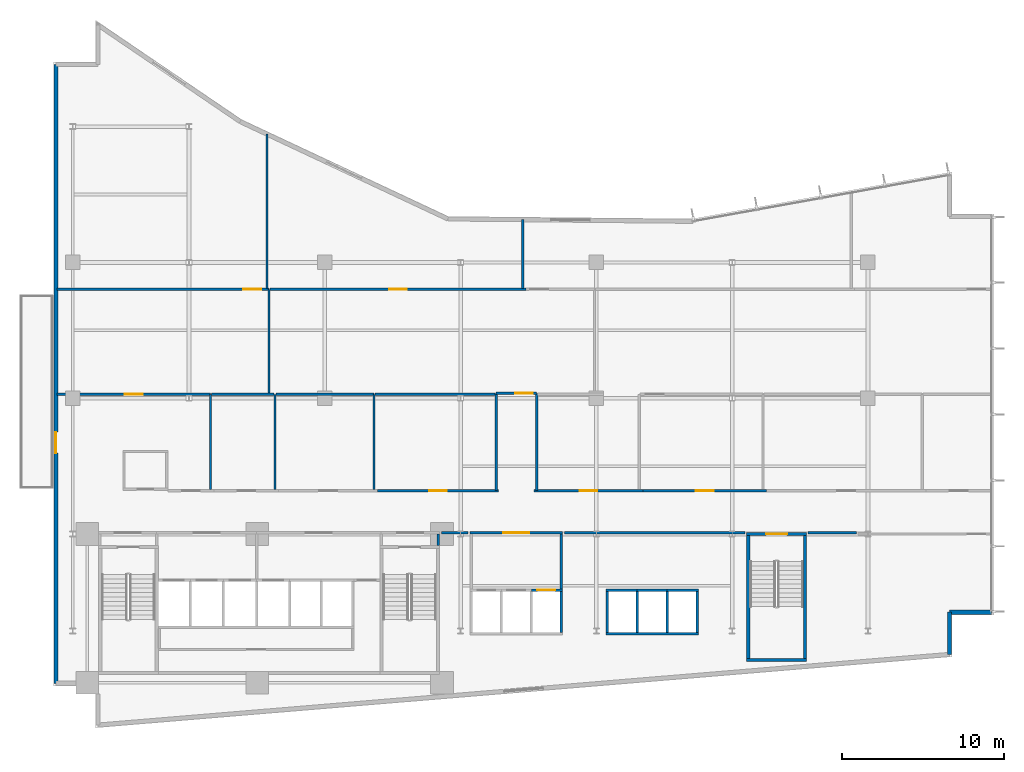
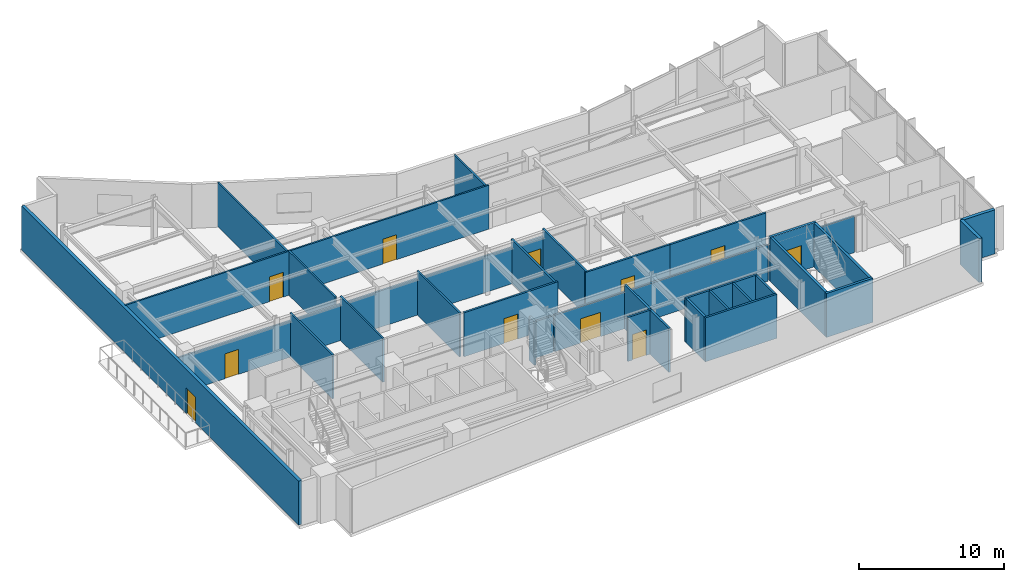
# One storey, part 14 of 20: 41 walls, 11 doors, 11 openings.
"""IFC4 building model written with IfcOpenShell, lengths in metres."""

import ifcopenshell
import ifcopenshell.guid

model = None  # the IFC model being written
_history = None  # IfcOwnerHistory: only IFC2X3 demands one
_inside = {}  # id of a spatial element -> (the spatial element, [elements in it])
_under = {}  # id of a project, library or spatial element -> (it, [spatial elements below it])
_declared = {}  # id of a project -> (the project, [libraries it declares])
_typed = {}  # id of a type object -> (the type object, [elements of that type])
_made_of = {}  # id of a material, layer set ... -> (it, [elements and type objects made of it])


def new_model(schema):
    """Start an empty IFC model of exactly this schema.

    Asked for "IFC4X3", IfcOpenShell would pick the latest addendum, in which some entities
    have other attributes; the version numbers below select the first issue.
    IFC2X3 requires an IfcOwnerHistory on every rooted entity: one is made here for all.
    """
    global model, _history
    if schema == "IFC4X3":
        model = ifcopenshell.file(schema_version=(4, 3, 0, 0))
    else:
        model = ifcopenshell.file(schema=schema)
    _inside.clear()
    _under.clear()
    _declared.clear()
    _typed.clear()
    _made_of.clear()
    _history = None
    if model.schema == "IFC2X3":
        org = make("IfcOrganization", Name="unknown")
        user = make(
            "IfcPersonAndOrganization",
            ThePerson=make("IfcPerson", FamilyName="unknown"),
            TheOrganization=org,
        )
        app = make(
            "IfcApplication",
            ApplicationDeveloper=org,
            Version="unknown",
            ApplicationFullName="unknown",
            ApplicationIdentifier="unknown",
        )
        _history = make(
            "IfcOwnerHistory",
            OwningUser=user,
            OwningApplication=app,
            ChangeAction="ADDED",
            CreationDate=0,
        )
    return model


def make(cls, **values):
    """One entity of the class cls with the attributes given. An attribute that is None is left unset."""
    return model.create_entity(
        cls, **{name: value for name, value in values.items() if value is not None}
    )


def rooted(cls, **values):
    """An entity with a GlobalId (a new one), such as an element, a storey or a relation."""
    return make(cls, GlobalId=ifcopenshell.guid.new(), OwnerHistory=_history, **values)


def si_unit(unit_type, name, prefix=None):
    """IfcSIUnit, for example si_unit("LENGTHUNIT", "METRE", prefix="MILLI")."""
    return make("IfcSIUnit", UnitType=unit_type, Prefix=prefix, Name=name)


def assignment(units):
    """IfcUnitAssignment: the units of a project."""
    return None if units is None else make("IfcUnitAssignment", Units=units)


def point(xyz):
    """IfcCartesianPoint."""
    return None if xyz is None else make("IfcCartesianPoint", Coordinates=xyz)


def direction(xyz):
    """IfcDirection."""
    return None if xyz is None else make("IfcDirection", DirectionRatios=xyz)


def frame(location, z_axis=None, x_axis=None):
    """IfcAxis2Placement3D, a coordinate frame: its origin and axes. An axis left out is left unset."""
    return make(
        "IfcAxis2Placement3D",
        Location=point(location),
        Axis=direction(z_axis),
        RefDirection=direction(x_axis),
    )


def frame_2d(location, x_axis=None):
    """IfcAxis2Placement2D, a coordinate frame in the plane: its origin and x axis."""
    return make(
        "IfcAxis2Placement2D", Location=point(location), RefDirection=direction(x_axis)
    )


def origin():
    """The frame at (0, 0, 0) with its axes left unset."""
    return frame((0.0, 0.0, 0.0))


def place(relative_to, where):
    """IfcLocalPlacement: puts the frame where relative to a parent placement (None: the world)."""
    return make(
        "IfcLocalPlacement", PlacementRelTo=relative_to, RelativePlacement=where
    )


def context(
    kind, dimensions, precision=None, world=None, true_north=None, identifier=None
):
    """IfcGeometricRepresentationContext, for example the 3D "Model" context."""
    return make(
        "IfcGeometricRepresentationContext",
        ContextIdentifier=identifier,
        ContextType=kind,
        CoordinateSpaceDimension=dimensions,
        Precision=precision,
        WorldCoordinateSystem=world,
        TrueNorth=true_north,
    )


def subcontext(parent, identifier, kind, view, scale=None):
    """IfcGeometricRepresentationSubContext, for example "Body" below "Model"."""
    return make(
        "IfcGeometricRepresentationSubContext",
        ContextIdentifier=identifier,
        ContextType=kind,
        ParentContext=parent,
        TargetScale=scale,
        TargetView=view,
    )


def project(units=None, contexts=None):
    """IfcProject with its units and contexts."""
    return rooted(
        "IfcProject",
        Name="project",
        RepresentationContexts=contexts,
        UnitsInContext=assignment(units),
    )


def spatial(cls, under=None, at=None, **own):
    """A site, building, storey or space (cls), placed at a placement, below another one or the project."""
    s = rooted(cls, ObjectPlacement=at, **own)
    if under is not None:
        _under.setdefault(under.id(), (under, []))[1].append(s)
    return s


def profile(cls, at=None, kind="AREA", **sizes):
    """A parametric profile (cls). Its sizes go by their IFC names, for example OverallWidth=200.0."""
    return make(cls, ProfileType=kind, Position=at, **sizes)


def rectangle(**sizes):
    """IfcRectangleProfileDef."""
    return profile("IfcRectangleProfileDef", **sizes)


def extrude(swept, where, along, depth):
    """IfcExtrudedAreaSolid: the profile swept, set in the frame where, extruded along a direction by depth."""
    return make(
        "IfcExtrudedAreaSolid",
        SweptArea=swept,
        Position=where,
        ExtrudedDirection=direction(along),
        Depth=depth,
    )


def shape(context_of_items, identifier, shape_type, items):
    """IfcShapeRepresentation: the items that make up one representation, for example the "Body"."""
    return make(
        "IfcShapeRepresentation",
        ContextOfItems=context_of_items,
        RepresentationIdentifier=identifier,
        RepresentationType=shape_type,
        Items=items,
    )


def material(Name=None, Category=None):
    """IfcMaterial."""
    return make("IfcMaterial", Name=Name, Category=Category)


def layer(
    of_material, thickness, ventilated=None, Name=None, Category=None, Priority=None
):
    """IfcMaterialLayer: one layer of a wall or slab, of a material (None: an air gap)."""
    return make(
        "IfcMaterialLayer",
        Material=of_material,
        LayerThickness=thickness,
        IsVentilated=ventilated,
        Name=Name,
        Category=Category,
        Priority=Priority,
    )


def layer_set(layers, Name=None):
    """IfcMaterialLayerSet."""
    return make("IfcMaterialLayerSet", MaterialLayers=layers, LayerSetName=Name)


def made_of(thing, what):
    """Note that an element or type object is made of a material, layer set ...; save() writes the relation."""
    if what is not None:
        _made_of.setdefault(what.id(), (what, []))[1].append(thing)
    return thing


def type_object(cls, material=None, **own):
    """A type object (cls), such as IfcWallType, which elements share."""
    return made_of(rooted(cls, **own), material)


def element(
    cls,
    number,
    at=None,
    inside=None,
    cuts=None,
    type_object=None,
    material=None,
    context=None,
    identifier="Body",
    shape_type=None,
    held_by="IfcProductDefinitionShape",
    body=None,
    shapes=None,
    **own,
):
    """One element of the class cls, such as IfcWall. Its Tag is "e" and its number.

    at: its placement. inside: the storey or other place that contains it. cuts: it is an
    opening in that element (IfcRelVoidsElement). A single representation is given by context,
    identifier, shape_type and body (its items); several are given by shapes. held_by: the class
    of the entity that holds the representations. save() writes the other relations.
    """
    e = rooted(cls, Tag="e%d" % number, ObjectPlacement=at, **own)
    if body is not None:
        shapes = [shape(context, identifier, shape_type, body)]
    if shapes is not None:
        e.Representation = make(held_by, Representations=shapes)
    if inside is not None:
        _inside.setdefault(inside.id(), (inside, []))[1].append(e)
    if cuts is not None:
        rooted(
            "IfcRelVoidsElement", RelatingBuildingElement=cuts, RelatedOpeningElement=e
        )
    if type_object is not None:
        _typed.setdefault(type_object.id(), (type_object, []))[1].append(e)
    return made_of(e, material)


def fill(opening, filler):
    """IfcRelFillsElement: the door or window that sits in an opening."""
    return rooted(
        "IfcRelFillsElement",
        RelatingOpeningElement=opening,
        RelatedBuildingElement=filler,
    )


def aggregate(whole, parts):
    """IfcRelAggregates: a whole, such as a stair, and the parts it consists of."""
    return rooted("IfcRelAggregates", RelatingObject=whole, RelatedObjects=parts)


def save(model, path):
    """Write the relations noted so far, then the file.

    IfcRelAggregates (storeys below a building ...), IfcRelContainedInSpatialStructure (elements
    in a storey), IfcRelDefinesByType, IfcRelAssociatesMaterial and IfcRelDeclares: one each for
    every whole, place, type object, material and project.
    """
    for whole, parts in _under.values():
        aggregate(whole, parts)
    for where, things in _inside.values():
        rooted(
            "IfcRelContainedInSpatialStructure",
            RelatedElements=things,
            RelatingStructure=where,
        )
    for kind, things in _typed.values():
        rooted("IfcRelDefinesByType", RelatedObjects=things, RelatingType=kind)
    for what, things in _made_of.values():
        rooted("IfcRelAssociatesMaterial", RelatedObjects=things, RelatingMaterial=what)
    for by, libraries in _declared.values():
        rooted("IfcRelDeclares", RelatingContext=by, RelatedDefinitions=libraries)
    model.write(path)


model = new_model("IFC4")

# Units and contexts
model_context = context("Model", 3, precision=1e-05, world=origin(), true_north=direction((0.0, 1.0)))
body_context = subcontext(model_context, "Body", "Model", "MODEL_VIEW")
ifc_project = project(units=[si_unit("LENGTHUNIT", "METRE"), si_unit("AREAUNIT", "SQUARE_METRE"), si_unit("VOLUMEUNIT", "CUBIC_METRE"), si_unit("PLANEANGLEUNIT", "RADIAN"), si_unit("MASSUNIT", "GRAM", prefix="KILO")], contexts=[model_context])

# Site, building, storey
site_placement = place(None, origin())
site = spatial("IfcSite", under=ifc_project, at=site_placement, CompositionType="ELEMENT")
building_placement = place(site_placement, origin())
building = spatial("IfcBuilding", under=site, at=building_placement, Name="Varnakote Quay Hospital", CompositionType="ELEMENT")
storey_placement = place(building_placement, frame((0.0, 0.0, 46.199951171875)))
storey = spatial("IfcBuildingStorey", under=building, at=storey_placement, Name="L11", CompositionType="ELEMENT", Elevation=46.199951171875)

# Walls
ifc_material_1 = material(Name="Fire-rated acoustic gypsum stud wall", Category="gypsum")
ifc_layer_1 = layer(ifc_material_1, 0.159912109375)
ifc_layer_set_1 = layer_set([ifc_layer_1], Name="Fire-rated acoustic gypsum stud wall")
wall_type_1 = type_object("IfcWallType", Name="WL-COMP-160", PredefinedType="PARTITIONING", material=ifc_layer_set_1)
wall_1_placement = place(storey_placement, frame((23.820068359375, 11.300048828125, 0.0), z_axis=(0.0, 0.0, 1.0), x_axis=(0.0, 1.0, 0.0)))
element("IfcWall", 1, at=wall_1_placement, inside=storey, type_object=wall_type_1, Name="L11 East Stair Vestibule East Wall", PredefinedType="PARTITIONING", context=body_context, shape_type="SweptSolid", body=[
    extrude(rectangle(XDim=0.699951171875, YDim=0.159912109375, at=frame_2d((0.35009765625, 0.0))), origin(), (0.0, 0.0, 1.0), 3.7099609375),
])
wall_2_placement = place(storey_placement, frame((31.429931640625, 8.610107421875, 0.0), z_axis=(0.0, 0.0, 1.0), x_axis=(0.0, 1.0, 0.0)))
element("IfcWall", 2, at=wall_2_placement, inside=storey, type_object=wall_type_1, Name="L11 Low-Rise Lift Lobby East Wall", PredefinedType="PARTITIONING", context=body_context, shape_type="SweptSolid", body=[
    extrude(rectangle(XDim=3.389892578125, YDim=0.159912109375, at=frame_2d((1.69482421875, 0.0))), origin(), (0.0, 0.0, 1.0), 3.7099609375),
])

# Wall, opening, door
wall_3_placement = place(storey_placement, frame((25.7900390625, 12.080078125, 0.0), z_axis=(0.0, 0.0, 1.0), x_axis=(1.0, 0.0, 0.0)))
wall_3 = element("IfcWall", 3, at=wall_3_placement, inside=storey, type_object=wall_type_1, Name="L11 Low-Rise Lift Lobby North Wall", PredefinedType="PARTITIONING", context=body_context, shape_type="SweptSolid", body=[
    extrude(rectangle(XDim=5.719970703125, YDim=0.159912109375, at=frame_2d((2.85986328125, 0.0))), origin(), (0.0, 0.0, 1.0), 3.072998046875),
])
opening_1_placement = place(wall_3_placement, frame((2.06005859375, 0.0, 0.0)))
opening_1 = element("IfcOpeningElement", 4, at=opening_1_placement, cuts=wall_3, Name="Opening D-PLL-L11", PredefinedType="OPENING", context=body_context, shape_type="SweptSolid", body=[
    extrude(rectangle(XDim=1.60009765625, YDim=2.050048828125, at=frame_2d((0.800048828125, 1.02490234375))), frame((0.0, 0.08984375, 0.0), z_axis=(0.0, -1.0, 0.0), x_axis=(1.0, 0.0, 0.0)), (0.0, 0.0, 1.0), 0.179931640625),
])
ifc_material_2 = material(Name="Fire-rated double smoke lobby door")
door_type_1 = type_object("IfcDoorType", Name="DR-LOBBY-FD60S-1600x2150", OperationType="NOTDEFINED", PredefinedType="DOOR", material=ifc_material_2)
door_1_placement = place(opening_1_placement, origin())
door_1 = element("IfcDoor", 5, at=door_1_placement, inside=storey, type_object=door_type_1, Name="L11 Low-Rise Passenger Concourse Vestibule Door", OperationType="DOUBLE_DOOR_SINGLE_SWING", OverallHeight=2.050048828125, OverallWidth=1.60009765625, PredefinedType="DOOR", context=body_context, shape_type="SweptSolid", body=[
    extrude(rectangle(XDim=1.60009765625, YDim=2.050048828125, at=frame_2d((0.800048828125, 1.02490234375))), frame((0.0, 0.02490234375, 0.0), z_axis=(0.0, -1.0, 0.0), x_axis=(1.0, 0.0, 0.0)), (0.0, 0.0, 1.0), 0.050048828125),
])
fill(opening_1, door_1)

# Walls
wall_4_placement = place(storey_placement, frame((24.02001953125, 12.080078125, 0.0), z_axis=(0.0, 0.0, 1.0), x_axis=(1.0, 0.0, 0.0)))
element("IfcWall", 6, at=wall_4_placement, inside=storey, type_object=wall_type_1, Name="L11 Corridor South Gap Wall", PredefinedType="PARTITIONING", context=body_context, shape_type="SweptSolid", body=[
    extrude(rectangle(XDim=1.64990234375, YDim=0.159912109375, at=frame_2d((0.824951171875, 0.0))), origin(), (0.0, 0.0, 1.0), 3.072998046875),
])
wall_5_placement = place(storey_placement, frame((31.6298828125, 12.080078125, 0.0), z_axis=(0.0, 0.0, 1.0), x_axis=(1.0, 0.0, 0.0)))
element("IfcWall", 7, at=wall_5_placement, inside=storey, type_object=wall_type_1, Name="L11 Corridor South Gap Wall", PredefinedType="PARTITIONING", context=body_context, shape_type="SweptSolid", body=[
    extrude(rectangle(XDim=11.180908203125, YDim=0.159912109375, at=frame_2d((5.59033203125, 0.0))), origin(), (0.0, 0.0, 1.0), 3.072998046875),
])
wall_6_placement = place(storey_placement, frame((46.689208984375, 12.080078125, 0.0), z_axis=(0.0, 0.0, 1.0), x_axis=(1.0, 0.0, 0.0)))
element("IfcWall", 8, at=wall_6_placement, inside=storey, type_object=wall_type_1, Name="L11 Corridor South Gap Wall", PredefinedType="PARTITIONING", context=body_context, shape_type="SweptSolid", body=[
    extrude(rectangle(XDim=3.0107421875, YDim=0.159912109375, at=frame_2d((1.50537109375, 0.0))), origin(), (0.0, 0.0, 1.0), 3.072998046875),
])
ifc_material_3 = material(Name="Precast concrete N50 (f'c 50 MPa)", Category="concrete")
ifc_layer_2 = layer(ifc_material_3, 0.260009765625)
ifc_layer_set_2 = layer_set([ifc_layer_2], Name="Precast concrete N50 (f'c 50 MPa)")
wall_type_2 = type_object("IfcWallType", Name="WL-EXT-BRICK-260", PredefinedType="STANDARD", material=ifc_layer_set_2)
wall_7_placement = place(storey_placement, frame((55.43994140625, 4.54736328125, 0.0), z_axis=(0.0, 0.0, 1.0), x_axis=(0.0, 1.0, 0.0)))
element("IfcWall", 9, at=wall_7_placement, inside=storey, type_object=wall_type_2, Name="L11 Brick-Faced Precast Exterior Wall", PredefinedType="STANDARD", context=body_context, shape_type="SweptSolid", body=[
    extrude(rectangle(XDim=2.612548828125, YDim=0.260009765625, at=frame_2d((1.30615234375, 0.0))), origin(), (0.0, 0.0, 1.0), 3.7099609375),
])
wall_8_placement = place(storey_placement, frame((55.43994140625, 7.159912109375, 0.0), z_axis=(0.0, 0.0, 1.0), x_axis=(1.0, 0.0, 0.0)))
element("IfcWall", 10, at=wall_8_placement, inside=storey, type_object=wall_type_2, Name="L11 Brick-Faced Precast Exterior Wall", PredefinedType="STANDARD", context=body_context, shape_type="SweptSolid", body=[
    extrude(rectangle(XDim=2.60009765625, YDim=0.260009765625, at=frame_2d((1.300048828125, 0.0))), origin(), (0.0, 0.0, 1.0), 3.7099609375),
])

# Wall, opening, door
wall_9_placement = place(storey_placement, frame((0.159912109375, 41.0400390625, 0.0), z_axis=(0.0, 0.0, 1.0), x_axis=(0.0, -1.0, 0.0)))
wall_9 = element("IfcWall", 11, at=wall_9_placement, inside=storey, type_object=wall_type_2, Name="L11 Healing Terrace Portal Brick Wall", PredefinedType="STANDARD", context=body_context, shape_type="SweptSolid", body=[
    extrude(rectangle(XDim=38.280029296875, YDim=0.260009765625, at=frame_2d((19.14013671875, 0.0))), origin(), (0.0, 0.0, 1.0), 3.7099609375),
])
opening_2_placement = place(wall_9_placement, frame((22.743408203125, 0.0, 0.0)))
opening_2 = element("IfcOpeningElement", 12, at=opening_2_placement, cuts=wall_9, Name="Opening DT-L11", PredefinedType="OPENING", context=body_context, shape_type="SweptSolid", body=[
    extrude(rectangle(XDim=1.300048828125, YDim=2.14990234375, at=frame_2d((0.64990234375, 1.074951171875))), frame((0.0, 0.139892578125, 0.0), z_axis=(0.0, -1.0, 0.0), x_axis=(1.0, 0.0, 0.0)), (0.0, 0.0, 1.0), 0.280029296875),
])
ifc_material_4 = material(Name="Anodised aluminium glazed terrace door", Category="aluminium")
door_type_2 = type_object("IfcDoorType", Name="DR-EXT-TERR-1300x2150", OperationType="NOTDEFINED", PredefinedType="DOOR", material=ifc_material_4)
door_2_placement = place(opening_2_placement, origin())
door_2 = element("IfcDoor", 13, at=door_2_placement, inside=storey, type_object=door_type_2, Name="L11 Waterfront Healing Terrace Door", OperationType="SINGLE_SWING_RIGHT", OverallHeight=2.14990234375, OverallWidth=1.300048828125, PredefinedType="DOOR", context=body_context, shape_type="SweptSolid", body=[
    extrude(rectangle(XDim=1.300048828125, YDim=2.14990234375, at=frame_2d((0.64990234375, 1.074951171875))), frame((0.0, 0.02490234375, 0.0), z_axis=(0.0, -1.0, 0.0), x_axis=(1.0, 0.0, 0.0)), (0.0, 0.0, 1.0), 0.050048828125),
])
fill(opening_2, door_2)

# Walls
ifc_material_5 = material(Name="Concrete N50 (f'c 50 MPa)", Category="concrete")
ifc_layer_3 = layer(ifc_material_5, 0.14990234375)
ifc_layer_set_3 = layer_set([ifc_layer_3], Name="Concrete N50 (f'c 50 MPa)")
wall_type_3 = type_object("IfcWallType", Name="WL-SHAFT-N50-150", PredefinedType="SHEAR", material=ifc_layer_set_3)
for number, where, z_axis, x_axis, name in (
    (14, (36.125, 5.89990234375, 0.0), (0.0, 0.0, 1.0), (0.0, 1.0, 0.0), "L11 LF-PM1 Hoistway Divider Wall"),
    (15, (37.97509765625, 5.89990234375, 0.0), (0.0, 0.0, 1.0), (0.0, 1.0, 0.0), "L11 LF-PM2 Hoistway Divider Wall"),
):
    element("IfcWall", number, at=place(storey_placement, frame(where, z_axis=z_axis, x_axis=x_axis)), inside=storey, type_object=wall_type_3, Name=name, PredefinedType="SHEAR", context=body_context, shape_type="SweptSolid", body=[
        extrude(rectangle(XDim=2.550048828125, YDim=0.14990234375, at=frame_2d((1.27490234375, 0.0))), origin(), (0.0, 0.0, 1.0), 3.7099609375),
    ])
ifc_material_6 = material(Name="Concrete N50 (f'c 50 MPa)", Category="concrete")
ifc_layer_4 = layer(ifc_material_6, 0.159912109375)
ifc_layer_set_4 = layer_set([ifc_layer_4], Name="Concrete N50 (f'c 50 MPa)")
wall_type_4 = type_object("IfcWallType", Name="WL-SHAFT-N50-160", PredefinedType="SHEAR", material=ifc_layer_set_4)
wall_10_placement = place(storey_placement, frame((31.429931640625, 5.89990234375, 0.0), z_axis=(0.0, 0.0, 1.0), x_axis=(0.0, 1.0, 0.0)))
element("IfcWall", 16, at=wall_10_placement, inside=storey, type_object=wall_type_4, Name="L11 LOW Lift Bank East Shear Wall", PredefinedType="SHEAR", context=body_context, shape_type="SweptSolid", body=[
    extrude(rectangle(XDim=2.550048828125, YDim=0.159912109375, at=frame_2d((1.27490234375, 0.0))), origin(), (0.0, 0.0, 1.0), 3.7099609375),
])

# Wall, opening, door
wall_11_placement = place(storey_placement, frame((29.574951171875, 8.530029296875, 0.0), z_axis=(0.0, 0.0, 1.0), x_axis=(1.0, 0.0, 0.0)))
wall_11 = element("IfcWall", 17, at=wall_11_placement, inside=storey, type_object=wall_type_4, Name="L11 LF-PL3 Hoistway Front Wall", PredefinedType="SHEAR", context=body_context, shape_type="SweptSolid", body=[
    extrude(rectangle(XDim=1.93505859375, YDim=0.159912109375, at=frame_2d((0.967529296875, 0.0))), origin(), (0.0, 0.0, 1.0), 3.7099609375),
])
opening_3_placement = place(wall_11_placement, frame((0.375, 0.0, 0.0)))
opening_3 = element("IfcOpeningElement", 18, at=opening_3_placement, cuts=wall_11, Name="Opening LD-PL3-L11", PredefinedType="OPENING", context=body_context, shape_type="SweptSolid", body=[
    extrude(rectangle(XDim=1.10009765625, YDim=2.14990234375, at=frame_2d((0.550048828125, 1.074951171875))), frame((0.0, 0.08984375, 0.0), z_axis=(0.0, -1.0, 0.0), x_axis=(1.0, 0.0, 0.0)), (0.0, 0.0, 1.0), 0.179931640625),
])
ifc_material_7 = material(Name="Brushed bronze lift landing sliding door")
door_type_3 = type_object("IfcDoorType", Name="DR-LIFT-LD-1100x2150", OperationType="NOTDEFINED", PredefinedType="DOOR", material=ifc_material_7)
door_3_placement = place(opening_3_placement, origin())
door_3 = element("IfcDoor", 19, at=door_3_placement, inside=storey, type_object=door_type_3, Name="L11 LF-PL3 Lift Landing Sliding Door", OperationType="SLIDING_TO_LEFT", OverallHeight=2.14990234375, OverallWidth=1.10009765625, PredefinedType="DOOR", context=body_context, shape_type="SweptSolid", body=[
    extrude(rectangle(XDim=1.10009765625, YDim=2.14990234375, at=frame_2d((0.550048828125, 1.074951171875))), frame((0.0, 0.02490234375, 0.0), z_axis=(0.0, -1.0, 0.0), x_axis=(1.0, 0.0, 0.0)), (0.0, 0.0, 1.0), 0.050048828125),
])
fill(opening_3, door_3)

# Walls
wall_12_placement = place(storey_placement, frame((34.18994140625, 5.820068359375, 0.0), z_axis=(0.0, 0.0, 1.0), x_axis=(1.0, 0.0, 0.0)))
element("IfcWall", 20, at=wall_12_placement, inside=storey, type_object=wall_type_4, Name="L11 MID Lift Bank Back Shear Wall", PredefinedType="SHEAR", context=body_context, shape_type="SweptSolid", body=[
    extrude(rectangle(XDim=5.719970703125, YDim=0.159912109375, at=frame_2d((2.85986328125, 0.0))), origin(), (0.0, 0.0, 1.0), 3.7099609375),
])
for number, where, z_axis, x_axis, name in (
    (21, (34.27001953125, 5.89990234375, 0.0), (0.0, 0.0, 1.0), (0.0, 1.0, 0.0), "L11 MID Lift Bank West Shear Wall"),
    (22, (39.830078125, 5.89990234375, 0.0), (0.0, 0.0, 1.0), (0.0, 1.0, 0.0), "L11 MID Lift Bank East Shear Wall"),
):
    element("IfcWall", number, at=place(storey_placement, frame(where, z_axis=z_axis, x_axis=x_axis)), inside=storey, type_object=wall_type_4, Name=name, PredefinedType="SHEAR", context=body_context, shape_type="SweptSolid", body=[
        extrude(rectangle(XDim=2.550048828125, YDim=0.159912109375, at=frame_2d((1.27490234375, 0.0))), origin(), (0.0, 0.0, 1.0), 3.7099609375),
    ])
wall_13_placement = place(storey_placement, frame((34.18994140625, 8.530029296875, 0.0), z_axis=(0.0, 0.0, 1.0), x_axis=(1.0, 0.0, 0.0)))
element("IfcWall", 23, at=wall_13_placement, inside=storey, type_object=wall_type_4, Name="L11 LF-PM1 Hoistway Front Wall", PredefinedType="SHEAR", context=body_context, shape_type="SweptSolid", body=[
    extrude(rectangle(XDim=1.93505859375, YDim=0.159912109375, at=frame_2d((0.967529296875, 0.0))), origin(), (0.0, 0.0, 1.0), 3.7099609375),
])
wall_14_placement = place(storey_placement, frame((36.125, 8.530029296875, 0.0), z_axis=(0.0, 0.0, 1.0), x_axis=(1.0, 0.0, 0.0)))
element("IfcWall", 24, at=wall_14_placement, inside=storey, type_object=wall_type_4, Name="L11 LF-PM2 Hoistway Front Wall", PredefinedType="SHEAR", context=body_context, shape_type="SweptSolid", body=[
    extrude(rectangle(XDim=1.85009765625, YDim=0.159912109375, at=frame_2d((0.925048828125, 0.0))), origin(), (0.0, 0.0, 1.0), 3.7099609375),
])
wall_15_placement = place(storey_placement, frame((37.97509765625, 8.530029296875, 0.0), z_axis=(0.0, 0.0, 1.0), x_axis=(1.0, 0.0, 0.0)))
element("IfcWall", 25, at=wall_15_placement, inside=storey, type_object=wall_type_4, Name="L11 LF-PM3 Hoistway Front Wall", PredefinedType="SHEAR", context=body_context, shape_type="SweptSolid", body=[
    extrude(rectangle(XDim=1.934814453125, YDim=0.159912109375, at=frame_2d((0.96728515625, 0.0))), origin(), (0.0, 0.0, 1.0), 3.7099609375),
])
ifc_material_8 = material(Name="Concrete N50 (f'c 50 MPa)", Category="concrete")
ifc_layer_5 = layer(ifc_material_8, 0.199951171875)
ifc_layer_set_5 = layer_set([ifc_layer_5], Name="Concrete N50 (f'c 50 MPa)")
wall_type_5 = type_object("IfcWallType", Name="WL-SHAFT-N50-200", PredefinedType="SHEAR", material=ifc_layer_set_5)
wall_16_placement = place(storey_placement, frame((42.89990234375, 4.199951171875, 0.0), z_axis=(0.0, 0.0, 1.0), x_axis=(1.0, 0.0, 0.0)))
element("IfcWall", 26, at=wall_16_placement, inside=storey, type_object=wall_type_5, Name="L11 Stair ST3 South Shaft Wall", PredefinedType="SHEAR", context=body_context, shape_type="SweptSolid", body=[
    extrude(rectangle(XDim=3.7001953125, YDim=0.199951171875, at=frame_2d((1.85009765625, 0.0))), origin(), (0.0, 0.0, 1.0), 3.7099609375),
])
for number, where, z_axis, x_axis, name in (
    (27, (43.0, 4.300048828125, 0.0), (0.0, 0.0, 1.0), (0.0, 1.0, 0.0), "L11 Stair ST3 West Shaft Wall"),
    (28, (46.5, 4.300048828125, 0.0), (0.0, 0.0, 1.0), (0.0, 1.0, 0.0), "L11 Stair ST3 East Shaft Wall"),
):
    element("IfcWall", number, at=place(storey_placement, frame(where, z_axis=z_axis, x_axis=x_axis)), inside=storey, type_object=wall_type_5, Name=name, PredefinedType="SHEAR", context=body_context, shape_type="SweptSolid", body=[
        extrude(rectangle(XDim=7.599853515625, YDim=0.199951171875, at=frame_2d((3.7998046875, 0.0))), origin(), (0.0, 0.0, 1.0), 3.7099609375),
    ])

# Wall, opening, door
wall_17_placement = place(storey_placement, frame((42.89990234375, 12.0, 0.0), z_axis=(0.0, 0.0, 1.0), x_axis=(1.0, 0.0, 0.0)))
wall_17 = element("IfcWall", 29, at=wall_17_placement, inside=storey, type_object=wall_type_5, Name="L11 Stair ST3 Exit Wall", PredefinedType="SHEAR", context=body_context, shape_type="SweptSolid", body=[
    extrude(rectangle(XDim=3.7001953125, YDim=0.199951171875, at=frame_2d((1.85009765625, 0.0))), origin(), (0.0, 0.0, 1.0), 3.7099609375),
])
opening_4_placement = place(wall_17_placement, frame((1.199951171875, 0.0, 0.0)))
opening_4 = element("IfcOpeningElement", 30, at=opening_4_placement, cuts=wall_17, Name="Opening D-ST3-L11", PredefinedType="OPENING", context=body_context, shape_type="SweptSolid", body=[
    extrude(rectangle(XDim=1.300048828125, YDim=2.14990234375, at=frame_2d((0.64990234375, 1.074951171875))), frame((0.0, 0.10986328125, 0.0), z_axis=(0.0, -1.0, 0.0), x_axis=(1.0, 0.0, 0.0)), (0.0, 0.0, 1.0), 0.219970703125),
])
ifc_material_9 = material(Name="Fire-rated ceramic-glazed timber exit door", Category="wood")
door_type_4 = type_object("IfcDoorType", Name="DR-STAIR-FD60S-1300x2150", OperationType="NOTDEFINED", PredefinedType="DOOR", material=ifc_material_9)
door_4_placement = place(opening_4_placement, origin())
door_4 = element("IfcDoor", 31, at=door_4_placement, inside=storey, type_object=door_type_4, Name="L11 Stair ST3 Fire Exit Door", OperationType="SINGLE_SWING_RIGHT", OverallHeight=2.14990234375, OverallWidth=1.300048828125, PredefinedType="DOOR", context=body_context, shape_type="SweptSolid", body=[
    extrude(rectangle(XDim=1.300048828125, YDim=2.14990234375, at=frame_2d((0.64990234375, 1.074951171875))), frame((0.0, 0.02490234375, 0.0), z_axis=(0.0, -1.0, 0.0), x_axis=(1.0, 0.0, 0.0)), (0.0, 0.0, 1.0), 0.050048828125),
])
fill(opening_4, door_4)

# Wall
ifc_material_10 = material(Name="Smoke-proof clinical partition", Category="gypsum")
ifc_layer_6 = layer(ifc_material_10, 0.135009765625)
ifc_layer_set_6 = layer_set([ifc_layer_6], Name="Smoke-proof clinical partition")
wall_type_6 = type_object("IfcWallType", Name="WL-SMOKE-135", PredefinedType="PARTITIONING", material=ifc_layer_set_6)
wall_18_placement = place(storey_placement, frame((9.719970703125, 14.760009765625, 0.0), z_axis=(0.0, 0.0, 1.0), x_axis=(0.0, 1.0, 0.0)))
element("IfcWall", 32, at=wall_18_placement, inside=storey, type_object=wall_type_6, Name="L11 Clinical Interior Partition", PredefinedType="PARTITIONING", context=body_context, shape_type="SweptSolid", body=[
    extrude(rectangle(XDim=5.8798828125, YDim=0.135009765625, at=frame_2d((2.93994140625, 0.0))), origin(), (0.0, 0.0, 1.0), 3.7099609375),
])

# Wall, opening, door
wall_19_placement = place(storey_placement, frame((9.719970703125, 20.639892578125, 0.0), z_axis=(0.0, 0.0, 1.0), x_axis=(-1.0, 0.0, 0.0)))
wall_19 = element("IfcWall", 33, at=wall_19_placement, inside=storey, type_object=wall_type_6, Name="L11 Clinical Interior Partition", PredefinedType="PARTITIONING", context=body_context, shape_type="SweptSolid", body=[
    extrude(rectangle(XDim=9.47998046875, YDim=0.135009765625, at=frame_2d((4.739990234375, 0.0))), origin(), (0.0, 0.0, 1.0), 3.072998046875),
])
opening_5_placement = place(wall_19_placement, frame((4.18994140625, 0.0, 0.0)))
opening_5 = element("IfcOpeningElement", 34, at=opening_5_placement, cuts=wall_19, Name="Opening D-L11-MD08", PredefinedType="OPENING", context=body_context, shape_type="SweptSolid", body=[
    extrude(rectangle(XDim=1.10009765625, YDim=2.10009765625, at=frame_2d((0.550048828125, 1.050048828125))), frame((0.0, 0.077392578125, 0.0), z_axis=(0.0, -1.0, 0.0), x_axis=(1.0, 0.0, 0.0)), (0.0, 0.0, 1.0), 0.155029296875),
])
ifc_material_11 = material(Name="Acoustic timber clinical consult door", Category="wood")
door_type_5 = type_object("IfcDoorType", Name="DR-CLIN-FD30S-1100x2100", OperationType="NOTDEFINED", PredefinedType="DOOR", material=ifc_material_11)
door_5_placement = place(opening_5_placement, origin())
door_5 = element("IfcDoor", 35, at=door_5_placement, inside=storey, type_object=door_type_5, Name="L11 Ward Nurse Station Office Door", OperationType="SINGLE_SWING_RIGHT", OverallHeight=2.10009765625, OverallWidth=1.10009765625, PredefinedType="DOOR", context=body_context, shape_type="SweptSolid", body=[
    extrude(rectangle(XDim=1.10009765625, YDim=2.10009765625, at=frame_2d((0.550048828125, 1.050048828125))), frame((0.0, 0.02490234375, 0.0), z_axis=(0.0, -1.0, 0.0), x_axis=(1.0, 0.0, 0.0)), (0.0, 0.0, 1.0), 0.050048828125),
])
fill(opening_5, door_5)

# Walls
wall_20_placement = place(storey_placement, frame((13.719970703125, 14.760009765625, 0.0), z_axis=(0.0, 0.0, 1.0), x_axis=(0.0, 1.0, 0.0)))
element("IfcWall", 36, at=wall_20_placement, inside=storey, type_object=wall_type_6, Name="L11 Clinical Interior Partition", PredefinedType="PARTITIONING", context=body_context, shape_type="SweptSolid", body=[
    extrude(rectangle(XDim=5.8798828125, YDim=0.135009765625, at=frame_2d((2.93994140625, 0.0))), origin(), (0.0, 0.0, 1.0), 3.7099609375),
])
wall_21_placement = place(storey_placement, frame((13.66259765625, 20.639892578125, 0.0), z_axis=(0.0, 0.0, 1.0), x_axis=(-1.0, 0.0, 0.0)))
element("IfcWall", 37, at=wall_21_placement, inside=storey, type_object=wall_type_6, Name="L11 Clinical Interior Partition", PredefinedType="PARTITIONING", context=body_context, shape_type="SweptSolid", body=[
    extrude(rectangle(XDim=3.885009765625, YDim=0.135009765625, at=frame_2d((1.9423828125, 0.0))), origin(), (0.0, 0.0, 1.0), 3.072998046875),
])
wall_22_placement = place(storey_placement, frame((19.840087890625, 14.760009765625, 0.0), z_axis=(0.0, 0.0, 1.0), x_axis=(0.0, 1.0, 0.0)))
element("IfcWall", 38, at=wall_22_placement, inside=storey, type_object=wall_type_6, Name="L11 Clinical Interior Partition", PredefinedType="PARTITIONING", context=body_context, shape_type="SweptSolid", body=[
    extrude(rectangle(XDim=5.8798828125, YDim=0.135009765625, at=frame_2d((2.93994140625, 0.0))), origin(), (0.0, 0.0, 1.0), 3.7099609375),
])
wall_23_placement = place(storey_placement, frame((19.840087890625, 20.639892578125, 0.0), z_axis=(0.0, 0.0, 1.0), x_axis=(-1.0, 0.0, 0.0)))
element("IfcWall", 39, at=wall_23_placement, inside=storey, type_object=wall_type_6, Name="L11 Clinical Interior Partition", PredefinedType="PARTITIONING", context=body_context, shape_type="SweptSolid", body=[
    extrude(rectangle(XDim=6.0625, YDim=0.135009765625, at=frame_2d((3.03125, 0.0))), origin(), (0.0, 0.0, 1.0), 3.072998046875),
])
wall_24_placement = place(storey_placement, frame((27.320068359375, 20.639892578125, 0.0), z_axis=(0.0, 0.0, 1.0), x_axis=(-1.0, 0.0, 0.0)))
element("IfcWall", 40, at=wall_24_placement, inside=storey, type_object=wall_type_6, Name="L11 Clinical Interior Partition", PredefinedType="PARTITIONING", context=body_context, shape_type="SweptSolid", body=[
    extrude(rectangle(XDim=7.422607421875, YDim=0.135009765625, at=frame_2d((3.71142578125, 0.0))), origin(), (0.0, 0.0, 1.0), 3.072998046875),
])
wall_25_placement = place(storey_placement, frame((13.35009765625, 20.697509765625, 0.0), z_axis=(0.0, 0.0, 1.0), x_axis=(0.0, 1.0, 0.0)))
element("IfcWall", 41, at=wall_25_placement, inside=storey, type_object=wall_type_6, Name="L11 Clinical Interior Partition", PredefinedType="PARTITIONING", context=body_context, shape_type="SweptSolid", body=[
    extrude(rectangle(XDim=6.4423828125, YDim=0.135009765625, at=frame_2d((3.22119140625, 0.0))), origin(), (0.0, 0.0, 1.0), 3.7099609375),
])

# Wall, opening, door
wall_26_placement = place(storey_placement, frame((13.35009765625, 27.139892578125, 0.0), z_axis=(0.0, 0.0, 1.0), x_axis=(-1.0, 0.0, 0.0)))
wall_26 = element("IfcWall", 42, at=wall_26_placement, inside=storey, type_object=wall_type_6, Name="L11 Clinical Interior Partition", PredefinedType="PARTITIONING", context=body_context, shape_type="SweptSolid", body=[
    extrude(rectangle(XDim=13.110107421875, YDim=0.135009765625, at=frame_2d((6.55517578125, 0.0))), origin(), (0.0, 0.0, 1.0), 3.7099609375),
])
opening_6_placement = place(wall_26_placement, frame((0.490234375, 0.0, 0.0)))
opening_6 = element("IfcOpeningElement", 43, at=opening_6_placement, cuts=wall_26, Name="Opening D-L11-MD11", PredefinedType="OPENING", context=body_context, shape_type="SweptSolid", body=[
    extrude(rectangle(XDim=1.10009765625, YDim=2.10009765625, at=frame_2d((0.550048828125, 1.050048828125))), frame((0.0, 0.077392578125, 0.0), z_axis=(0.0, -1.0, 0.0), x_axis=(1.0, 0.0, 0.0)), (0.0, 0.0, 1.0), 0.155029296875),
])
door_6_placement = place(opening_6_placement, origin())
door_6 = element("IfcDoor", 44, at=door_6_placement, inside=storey, type_object=door_type_5, Name="L11 Clinical Pharmacy Preparation Pantry Door", OperationType="SINGLE_SWING_RIGHT", OverallHeight=2.10009765625, OverallWidth=1.10009765625, PredefinedType="DOOR", context=body_context, shape_type="SweptSolid", body=[
    extrude(rectangle(XDim=1.10009765625, YDim=2.10009765625, at=frame_2d((0.550048828125, 1.050048828125))), frame((0.0, 0.02490234375, 0.0), z_axis=(0.0, -1.0, 0.0), x_axis=(1.0, 0.0, 0.0)), (0.0, 0.0, 1.0), 0.050048828125),
])
fill(opening_6, door_6)

wall_27_placement = place(storey_placement, frame((29.24755859375, 27.139892578125, 0.0), z_axis=(0.0, 0.0, 1.0), x_axis=(-1.0, 0.0, 0.0)))
wall_27 = element("IfcWall", 45, at=wall_27_placement, inside=storey, type_object=wall_type_6, Name="L11 Clinical Interior Partition", PredefinedType="PARTITIONING", context=body_context, shape_type="SweptSolid", body=[
    extrude(rectangle(XDim=15.840087890625, YDim=0.135009765625, at=frame_2d((7.919921875, 0.0))), origin(), (0.0, 0.0, 1.0), 3.7099609375),
])
opening_7_placement = place(wall_27_placement, frame((7.3701171875, 0.0, 0.0)))
opening_7 = element("IfcOpeningElement", 46, at=opening_7_placement, cuts=wall_27, Name="Opening D-L11-MD12", PredefinedType="OPENING", context=body_context, shape_type="SweptSolid", body=[
    extrude(rectangle(XDim=1.10009765625, YDim=2.10009765625, at=frame_2d((0.550048828125, 1.050048828125))), frame((0.0, 0.077392578125, 0.0), z_axis=(0.0, -1.0, 0.0), x_axis=(1.0, 0.0, 0.0)), (0.0, 0.0, 1.0), 0.155029296875),
])
door_7_placement = place(opening_7_placement, origin())
door_7 = element("IfcDoor", 47, at=door_7_placement, inside=storey, type_object=door_type_5, Name="L11 Ward Nurse Station Office Door", OperationType="SINGLE_SWING_LEFT", OverallHeight=2.10009765625, OverallWidth=1.10009765625, PredefinedType="DOOR", context=body_context, shape_type="SweptSolid", body=[
    extrude(rectangle(XDim=1.10009765625, YDim=2.10009765625, at=frame_2d((0.550048828125, 1.050048828125))), frame((0.0, 0.02490234375, 0.0), z_axis=(0.0, -1.0, 0.0), x_axis=(1.0, 0.0, 0.0)), (0.0, 0.0, 1.0), 0.050048828125),
])
fill(opening_7, door_7)

# Walls
wall_28_placement = place(storey_placement, frame((13.22998046875, 27.197509765625, 0.0), z_axis=(0.0, 0.0, 1.0), x_axis=(0.0, 1.0, 0.0)))
element("IfcWall", 48, at=wall_28_placement, inside=storey, type_object=wall_type_6, Name="L11 Clinical Interior Partition", PredefinedType="PARTITIONING", context=body_context, shape_type="SweptSolid", body=[
    extrude(rectangle(XDim=9.5361328125, YDim=0.135009765625, at=frame_2d((4.76806640625, 0.0))), origin(), (0.0, 0.0, 1.0), 3.7099609375),
])
wall_29_placement = place(storey_placement, frame((29.0400390625, 27.197509765625, 0.0), z_axis=(0.0, 0.0, 1.0), x_axis=(0.0, 1.0, 0.0)))
element("IfcWall", 49, at=wall_29_placement, inside=storey, type_object=wall_type_6, Name="L11 Clinical Interior Partition", PredefinedType="PARTITIONING", context=body_context, shape_type="SweptSolid", body=[
    extrude(rectangle(XDim=4.24951171875, YDim=0.135009765625, at=frame_2d((2.124755859375, 0.0))), origin(), (0.0, 0.0, 1.0), 3.7099609375),
])

# Wall, opening, door
ifc_material_12 = material(Name="Fire-rated clinical gypsum partition", Category="gypsum")
ifc_layer_7 = layer(ifc_material_12, 0.14990234375)
ifc_layer_set_7 = layer_set([ifc_layer_7], Name="Fire-rated clinical gypsum partition")
wall_type_7 = type_object("IfcWallType", Name="WL-WARD-150", PredefinedType="PARTITIONING", material=ifc_layer_set_7)
wall_30_placement = place(storey_placement, frame((27.5458984375, 14.679931640625, 0.0), z_axis=(0.0, 0.0, 1.0), x_axis=(-1.0, 0.0, 0.0)))
wall_30 = element("IfcWall", 50, at=wall_30_placement, inside=storey, type_object=wall_type_7, Name="L11 Clinical Interior Partition", PredefinedType="PARTITIONING", context=body_context, shape_type="SweptSolid", body=[
    extrude(rectangle(XDim=7.477783203125, YDim=0.14990234375, at=frame_2d((3.73876953125, 0.0))), origin(), (0.0, 0.0, 1.0), 3.7099609375),
])
opening_8_placement = place(wall_30_placement, frame((3.18896484375, 0.0, 0.0)))
opening_8 = element("IfcOpeningElement", 51, at=opening_8_placement, cuts=wall_30, Name="Opening D-L11-MD03", PredefinedType="OPENING", context=body_context, shape_type="SweptSolid", body=[
    extrude(rectangle(XDim=1.10009765625, YDim=2.10009765625, at=frame_2d((0.550048828125, 1.050048828125))), frame((0.0, 0.0849609375, 0.0), z_axis=(0.0, -1.0, 0.0), x_axis=(1.0, 0.0, 0.0)), (0.0, 0.0, 1.0), 0.169921875),
])
door_8_placement = place(opening_8_placement, origin())
door_8 = element("IfcDoor", 52, at=door_8_placement, inside=storey, type_object=door_type_5, Name="L11 Clinical Pharmacy Preparation Pantry Door", OperationType="SINGLE_SWING_RIGHT", OverallHeight=2.10009765625, OverallWidth=1.10009765625, PredefinedType="DOOR", context=body_context, shape_type="SweptSolid", body=[
    extrude(rectangle(XDim=1.10009765625, YDim=2.10009765625, at=frame_2d((0.550048828125, 1.050048828125))), frame((0.0, 0.02490234375, 0.0), z_axis=(0.0, -1.0, 0.0), x_axis=(1.0, 0.0, 0.0)), (0.0, 0.0, 1.0), 0.050048828125),
])
fill(opening_8, door_8)

wall_31_placement = place(storey_placement, frame((36.47607421875, 14.679931640625, 0.0), z_axis=(0.0, 0.0, 1.0), x_axis=(-1.0, 0.0, 0.0)))
wall_31 = element("IfcWall", 53, at=wall_31_placement, inside=storey, type_object=wall_type_7, Name="L11 Clinical Interior Partition", PredefinedType="PARTITIONING", context=body_context, shape_type="SweptSolid", body=[
    extrude(rectangle(XDim=6.72216796875, YDim=0.14990234375, at=frame_2d((3.361083984375, 0.0))), origin(), (0.0, 0.0, 1.0), 3.7099609375),
])
opening_9_placement = place(wall_31_placement, frame((2.81103515625, 0.0, 0.0)))
opening_9 = element("IfcOpeningElement", 54, at=opening_9_placement, cuts=wall_31, Name="Opening D-L11-MD04", PredefinedType="OPENING", context=body_context, shape_type="SweptSolid", body=[
    extrude(rectangle(XDim=1.10009765625, YDim=2.10009765625, at=frame_2d((0.550048828125, 1.050048828125))), frame((0.0, 0.0849609375, 0.0), z_axis=(0.0, -1.0, 0.0), x_axis=(1.0, 0.0, 0.0)), (0.0, 0.0, 1.0), 0.169921875),
])
door_9_placement = place(opening_9_placement, origin())
door_9 = element("IfcDoor", 55, at=door_9_placement, inside=storey, type_object=door_type_5, Name="L11 Ward Nurse Station Office Door", OperationType="SINGLE_SWING_LEFT", OverallHeight=2.10009765625, OverallWidth=1.10009765625, PredefinedType="DOOR", context=body_context, shape_type="SweptSolid", body=[
    extrude(rectangle(XDim=1.10009765625, YDim=2.10009765625, at=frame_2d((0.550048828125, 1.050048828125))), frame((0.0, 0.02490234375, 0.0), z_axis=(0.0, -1.0, 0.0), x_axis=(1.0, 0.0, 0.0)), (0.0, 0.0, 1.0), 0.050048828125),
])
fill(opening_9, door_9)

wall_32_placement = place(storey_placement, frame((44.135986328125, 14.679931640625, 0.0), z_axis=(0.0, 0.0, 1.0), x_axis=(-1.0, 0.0, 0.0)))
wall_32 = element("IfcWall", 56, at=wall_32_placement, inside=storey, type_object=wall_type_7, Name="L11 Clinical Interior Partition", PredefinedType="PARTITIONING", context=body_context, shape_type="SweptSolid", body=[
    extrude(rectangle(XDim=7.657958984375, YDim=0.14990234375, at=frame_2d((3.8291015625, 0.0))), origin(), (0.0, 0.0, 1.0), 3.7099609375),
])
opening_10_placement = place(wall_32_placement, frame((3.279052734375, 0.0, 0.0)))
opening_10 = element("IfcOpeningElement", 57, at=opening_10_placement, cuts=wall_32, Name="Opening D-L11-MD05", PredefinedType="OPENING", context=body_context, shape_type="SweptSolid", body=[
    extrude(rectangle(XDim=1.10009765625, YDim=2.10009765625, at=frame_2d((0.550048828125, 1.050048828125))), frame((0.0, 0.0849609375, 0.0), z_axis=(0.0, -1.0, 0.0), x_axis=(1.0, 0.0, 0.0)), (0.0, 0.0, 1.0), 0.169921875),
])
door_10_placement = place(opening_10_placement, origin())
door_10 = element("IfcDoor", 58, at=door_10_placement, inside=storey, type_object=door_type_5, Name="L11 Day Procedure Treatment Suite Door", OperationType="SINGLE_SWING_RIGHT", OverallHeight=2.10009765625, OverallWidth=1.10009765625, PredefinedType="DOOR", context=body_context, shape_type="SweptSolid", body=[
    extrude(rectangle(XDim=1.10009765625, YDim=2.10009765625, at=frame_2d((0.550048828125, 1.050048828125))), frame((0.0, 0.02490234375, 0.0), z_axis=(0.0, -1.0, 0.0), x_axis=(1.0, 0.0, 0.0)), (0.0, 0.0, 1.0), 0.050048828125),
])
fill(opening_10, door_10)

# Walls
for number, where, z_axis, x_axis, name in (
    (59, (27.39990234375, 20.699951171875, 0.0), (0.0, 0.0, 1.0), (0.0, -1.0, 0.0), "L11 Clinical Interior Partition"),
    (60, (29.89990234375, 14.699951171875, 0.0), (0.0, 0.0, 1.0), (0.0, 1.0, 0.0), "L11 Clinical Interior Partition"),
):
    element("IfcWall", number, at=place(storey_placement, frame(where, z_axis=z_axis, x_axis=x_axis)), inside=storey, type_object=wall_type_7, Name=name, PredefinedType="PARTITIONING", context=body_context, shape_type="SweptSolid", body=[
        extrude(rectangle(XDim=6.0, YDim=0.14990234375, at=frame_2d((3.0, 0.0))), origin(), (0.0, 0.0, 1.0), 3.7099609375),
    ])

# Wall, opening, door
wall_33_placement = place(storey_placement, frame((29.89990234375, 20.699951171875, 0.0), z_axis=(0.0, 0.0, 1.0), x_axis=(-1.0, 0.0, 0.0)))
wall_33 = element("IfcWall", 61, at=wall_33_placement, inside=storey, type_object=wall_type_7, Name="L11 Clinical Interior Partition", PredefinedType="PARTITIONING", context=body_context, shape_type="SweptSolid", body=[
    extrude(rectangle(XDim=2.5, YDim=0.14990234375, at=frame_2d((1.25, 0.0))), origin(), (0.0, 0.0, 1.0), 3.072998046875),
])
opening_11_placement = place(wall_33_placement, frame((0.22509765625, 0.0, 0.0)))
opening_11 = element("IfcOpeningElement", 62, at=opening_11_placement, cuts=wall_33, Name="Opening D-L11-MD09", PredefinedType="OPENING", context=body_context, shape_type="SweptSolid", body=[
    extrude(rectangle(XDim=1.10009765625, YDim=2.10009765625, at=frame_2d((0.550048828125, 1.050048828125))), frame((0.0, 0.0849609375, 0.0), z_axis=(0.0, -1.0, 0.0), x_axis=(1.0, 0.0, 0.0)), (0.0, 0.0, 1.0), 0.169921875),
])
door_11_placement = place(opening_11_placement, origin())
door_11 = element("IfcDoor", 63, at=door_11_placement, inside=storey, type_object=door_type_5, Name="L11 Day Procedure Treatment Suite Door", OperationType="SINGLE_SWING_LEFT", OverallHeight=2.10009765625, OverallWidth=1.10009765625, PredefinedType="DOOR", context=body_context, shape_type="SweptSolid", body=[
    extrude(rectangle(XDim=1.10009765625, YDim=2.10009765625, at=frame_2d((0.550048828125, 1.050048828125))), frame((0.0, 0.02490234375, 0.0), z_axis=(0.0, -1.0, 0.0), x_axis=(1.0, 0.0, 0.0)), (0.0, 0.0, 1.0), 0.050048828125),
])
fill(opening_11, door_11)

save(model, "model.ifc")
